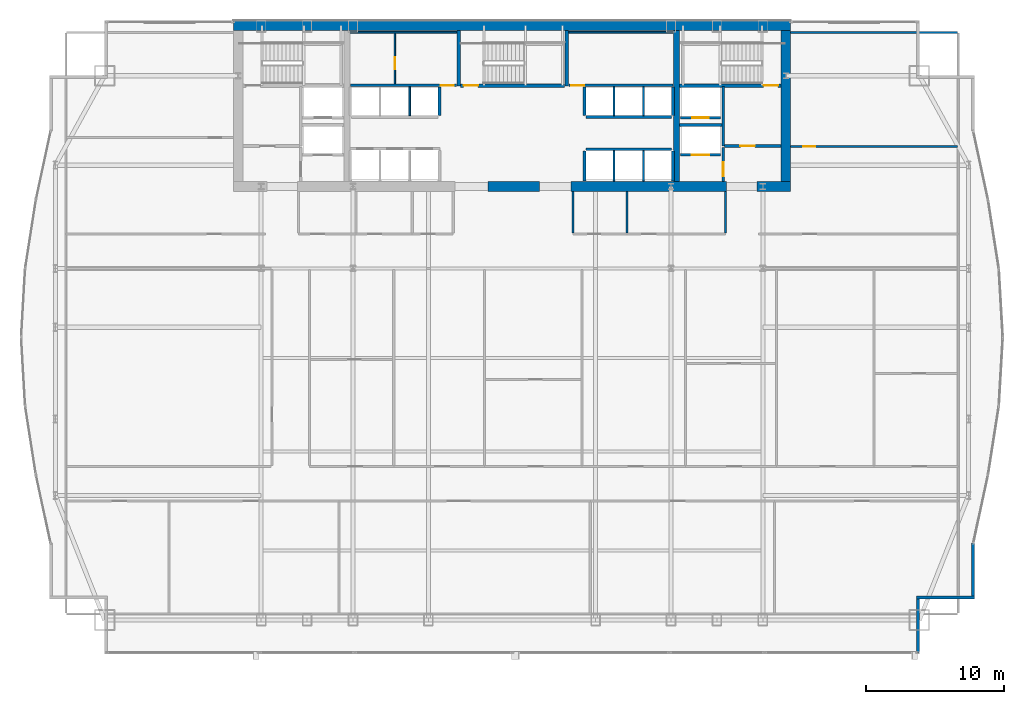
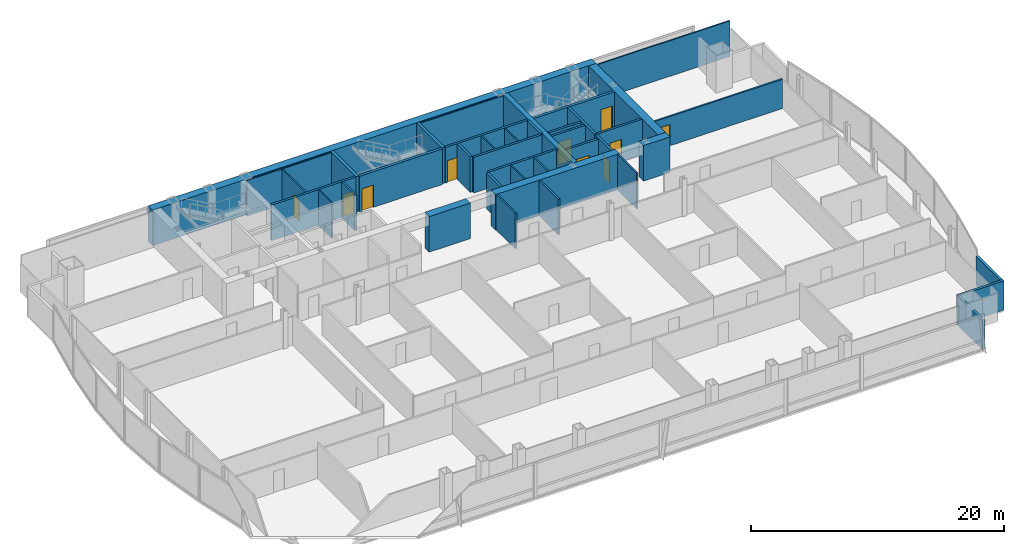
# One storey, part 28 of 32: 41 walls, 10 doors, 10 openings.
"""IFC4 building model written with IfcOpenShell, lengths in metres."""

from ifc_helpers import new_model, si_unit, direction, frame, frame_2d, origin, place, context, subcontext, project, spatial, rectangle, extrude, material, layer, layer_set, type_object, element, fill, save


model = new_model("IFC4")

# Units and contexts
model_context = context("Model", 3, precision=1e-05, world=origin(), true_north=direction((0.0, 1.0)))
body_context = subcontext(model_context, "Body", "Model", "MODEL_VIEW")
ifc_project = project(units=[si_unit("LENGTHUNIT", "METRE"), si_unit("AREAUNIT", "SQUARE_METRE"), si_unit("VOLUMEUNIT", "CUBIC_METRE"), si_unit("PLANEANGLEUNIT", "RADIAN"), si_unit("MASSUNIT", "GRAM", prefix="KILO")], contexts=[model_context])

# Site, building, storey
site_placement = place(None, origin())
site = spatial("IfcSite", under=ifc_project, at=site_placement, CompositionType="ELEMENT")
building_placement = place(site_placement, origin())
building = spatial("IfcBuilding", under=site, at=building_placement, Name="Khoronbel Lancet Exchange", CompositionType="ELEMENT")
storey_placement = place(building_placement, frame((0.0, 0.0, 111.0)))
storey = spatial("IfcBuildingStorey", under=building, at=storey_placement, Name="L26", CompositionType="ELEMENT", Elevation=111.0)

# Walls
ifc_material_1 = material(Name="Concrete C80/95", Category="concrete")
ifc_layer_1 = layer(ifc_material_1, 0.699951171875, Name="Concrete C80/95")
ifc_layer_set_1 = layer_set([ifc_layer_1], Name="Concrete C80/95")
wall_type_1 = type_object("IfcWallType", Name="WL-CW2", PredefinedType="SHEAR", material=ifc_layer_set_1)
wall_1_placement = place(storey_placement, frame((16.199951171875, 53.35009765625, 0.0), z_axis=(0.0, 0.0, 1.0), x_axis=(1.0, 0.0, 0.0)))
element("IfcWall", 1, at=wall_1_placement, inside=storey, type_object=wall_type_1, Name="Level L26 rear core north shear wall", PredefinedType="SHEAR", context=body_context, shape_type="SweptSolid", body=[
    extrude(rectangle(XDim=40.5, YDim=0.699951171875, at=frame_2d((20.25, 0.0))), origin(), (0.0, 0.0, 1.0), 3.43994140625),
])
wall_2_placement = place(storey_placement, frame((56.35009765625, 53.0, 0.0), z_axis=(0.0, 0.0, 1.0), x_axis=(0.0, -1.0, 0.0)))
element("IfcWall", 2, at=wall_2_placement, inside=storey, type_object=wall_type_1, Name="Level L26 rear core east shear wall", PredefinedType="SHEAR", context=body_context, shape_type="SweptSolid", body=[
    extrude(rectangle(XDim=11.0, YDim=0.699951171875, at=frame_2d((5.5, 0.0))), origin(), (0.0, 0.0, 1.0), 3.43994140625),
])
wall_3_placement = place(storey_placement, frame((38.449951171875, 41.64990234375, 0.0), z_axis=(0.0, 0.0, 1.0), x_axis=(-1.0, 0.0, 0.0)))
element("IfcWall", 3, at=wall_3_placement, inside=storey, type_object=wall_type_1, Name="Level L26 rear core south shear wall pier P3", PredefinedType="SHEAR", context=body_context, shape_type="SweptSolid", body=[
    extrude(rectangle(XDim=3.75, YDim=0.699951171875, at=frame_2d((1.875, 0.0))), origin(), (0.0, 0.0, 1.0), 3.43994140625),
])
wall_4_placement = place(storey_placement, frame((52.050048828125, 41.64990234375, 0.0), z_axis=(0.0, 0.0, 1.0), x_axis=(-1.0, 0.0, 0.0)))
element("IfcWall", 4, at=wall_4_placement, inside=storey, type_object=wall_type_1, Name="Level L26 rear core south shear wall pier P4", PredefinedType="SHEAR", context=body_context, shape_type="SweptSolid", body=[
    extrude(rectangle(XDim=11.300048828125, YDim=0.699951171875, at=frame_2d((5.64990234375, 0.0))), origin(), (0.0, 0.0, 1.0), 3.43994140625),
])
wall_5_placement = place(storey_placement, frame((56.699951171875, 41.64990234375, 0.0), z_axis=(0.0, 0.0, 1.0), x_axis=(-1.0, 0.0, 0.0)))
element("IfcWall", 5, at=wall_5_placement, inside=storey, type_object=wall_type_1, Name="Level L26 rear core south shear wall pier P5", PredefinedType="SHEAR", context=body_context, shape_type="SweptSolid", body=[
    extrude(rectangle(XDim=2.449951171875, YDim=0.699951171875, at=frame_2d((1.22509765625, 0.0))), origin(), (0.0, 0.0, 1.0), 3.43994140625),
])
ifc_material_2 = material(Name="Precast concrete C40/50", Category="concrete")
ifc_layer_2 = layer(ifc_material_2, 0.25, Name="Precast concrete C40/50")
ifc_layer_set_2 = layer_set([ifc_layer_2], Name="Precast concrete C40/50")
wall_type_2 = type_object("IfcWallType", Name="WL-EXT250", PredefinedType="SOLIDWALL", material=ifc_layer_set_2)
wall_6_placement = place(storey_placement, frame((69.9599609375, 15.7294921875, 0.0), z_axis=(0.0, 0.0, 1.0), x_axis=(0.0, -1.0, 0.0)))
element("IfcWall", 6, at=wall_6_placement, inside=storey, type_object=wall_type_2, Name="Level L26 notched-corner limestone pier 23", PredefinedType="SOLIDWALL", context=body_context, shape_type="SweptSolid", body=[
    extrude(rectangle(XDim=3.82958984375, YDim=0.219970703125, at=frame_2d((1.914794921875, 0.0))), origin(), (0.0, 0.0, 1.0), 2.830078125),
])
wall_7_placement = place(storey_placement, frame((70.070068359375, 11.7900390625, 0.0), z_axis=(0.0, 0.0, 1.0), x_axis=(-1.0, 0.0, 0.0)))
element("IfcWall", 7, at=wall_7_placement, inside=storey, type_object=wall_type_2, Name="Level L26 notched-corner limestone pier 24", PredefinedType="SOLIDWALL", context=body_context, shape_type="SweptSolid", body=[
    extrude(rectangle(XDim=4.219970703125, YDim=0.219970703125, at=frame_2d((2.10986328125, 0.0))), origin(), (0.0, 0.0, 1.0), 2.830078125),
])
wall_8_placement = place(storey_placement, frame((65.9599609375, 11.679931640625, 0.0), z_axis=(0.0, 0.0, 1.0), x_axis=(0.0, -1.0, 0.0)))
element("IfcWall", 8, at=wall_8_placement, inside=storey, type_object=wall_type_2, Name="Level L26 notched-corner limestone pier 25", PredefinedType="SOLIDWALL", context=body_context, shape_type="SweptSolid", body=[
    extrude(rectangle(XDim=3.909912109375, YDim=0.219970703125, at=frame_2d((1.955078125, 0.0))), origin(), (0.0, 0.0, 1.0), 2.830078125),
])
ifc_material_3 = material(Name="Acoustic Metal-Stud & Mineral-Wool Gypsum Partition 120 mm", Category="gypsum")
ifc_layer_3 = layer(ifc_material_3, 0.1201171875, Name="Acoustic Metal-Stud & Mineral-Wool Gypsum Partition 120 mm")
ifc_layer_set_3 = layer_set([ifc_layer_3], Name="Acoustic Metal-Stud & Mineral-Wool Gypsum Partition 120 mm")
wall_type_3 = type_object("IfcWallType", Name="WL-PRT120", PredefinedType="PARTITIONING", material=ifc_layer_set_3)
for number, where, z_axis, x_axis, name in (
    (9, (40.8798828125, 38.280029296875, 0.0), (0.0, 0.0, 1.0), (0.0, 1.0, 0.0), "Level L26 interior partition PW-NP-0"),
    (10, (44.800048828125, 38.280029296875, 0.0), (0.0, 0.0, 1.0), (0.0, 1.0, 0.0), "Level L26 interior partition PW-NP-M"),
    (11, (51.949951171875, 38.280029296875, 0.0), (0.0, 0.0, 1.0), (0.0, 1.0, 0.0), "Level L26 interior partition PW-NP-1"),
):
    element("IfcWall", number, at=place(storey_placement, frame(where, z_axis=z_axis, x_axis=x_axis)), inside=storey, type_object=wall_type_3, Name=name, PredefinedType="PARTITIONING", context=body_context, shape_type="SweptSolid", body=[
        extrude(rectangle(XDim=3.02001953125, YDim=0.14990234375, at=frame_2d((1.510009765625, 0.0))), origin(), (0.0, 0.0, 1.0), 3.43994140625),
    ])

# Wall, opening, door
wall_9_placement = place(storey_placement, frame((56.699951171875, 44.56005859375, 0.0), z_axis=(0.0, 0.0, 1.0), x_axis=(1.0, 0.0, 0.0)))
wall_9 = element("IfcWall", 12, at=wall_9_placement, inside=storey, type_object=wall_type_3, Name="Level L26 interior partition PW-NE-H", PredefinedType="PARTITIONING", context=body_context, shape_type="SweptSolid", body=[
    extrude(rectangle(XDim=12.10498046875, YDim=0.14990234375, at=frame_2d((6.052490234375, 0.0))), origin(), (0.0, 0.0, 1.0), 2.830078125),
])
opening_1_placement = place(wall_9_placement, frame((0.89990234375, 0.0, 0.0)))
opening_1 = element("IfcOpeningElement", 13, at=opening_1_placement, cuts=wall_9, Name="Opening D5", PredefinedType="OPENING", context=body_context, shape_type="SweptSolid", body=[
    extrude(rectangle(XDim=0.89990234375, YDim=2.050048828125, at=frame_2d((0.449951171875, 1.02490234375))), frame((0.0, 0.0849609375, 0.0), z_axis=(0.0, -1.0, 0.0), x_axis=(1.0, 0.0, 0.0)), (0.0, 0.0, 1.0), 0.169921875),
])
ifc_material_4 = material(Name="Acoustic Timber Pantry & Support Door", Category="wood")
door_type_1 = type_object("IfcDoorType", Name="DR-D5", OperationType="NOTDEFINED", PredefinedType="DOOR", material=ifc_material_4)
door_1_placement = place(opening_1_placement, origin())
door_1 = element("IfcDoor", 14, at=door_1_placement, inside=storey, type_object=door_type_1, Name="NE north room door L26-1", OperationType="SINGLE_SWING_RIGHT", OverallHeight=2.050048828125, OverallWidth=0.89990234375, PredefinedType="DOOR", context=body_context, shape_type="SweptSolid", body=[
    extrude(rectangle(XDim=0.89990234375, YDim=2.050048828125, at=frame_2d((0.449951171875, 1.02490234375))), frame((0.0, 0.02490234375, 0.0), z_axis=(0.0, -1.0, 0.0), x_axis=(1.0, 0.0, 0.0)), (0.0, 0.0, 1.0), 0.050048828125),
])
fill(opening_1, door_1)

# Walls
wall_10_placement = place(storey_placement, frame((56.699951171875, 52.840087890625, 0.0), z_axis=(0.0, 0.0, 1.0), x_axis=(1.0, 0.0, 0.0)))
element("IfcWall", 15, at=wall_10_placement, inside=storey, type_object=wall_type_3, Name="Level L26 interior partition PW-LIN-NE", PredefinedType="PARTITIONING", context=body_context, shape_type="SweptSolid", body=[
    extrude(rectangle(XDim=12.10498046875, YDim=0.1201171875, at=frame_2d((6.052490234375, 0.0))), origin(), (0.0, 0.0, 1.0), 3.43994140625),
])
ifc_material_5 = material(Name="Fire-Rated Metal-Stud & Mineral-Wool Gypsum Partition 120 mm", Category="gypsum")
ifc_layer_4 = layer(ifc_material_5, 0.1201171875, Name="Fire-Rated Metal-Stud & Mineral-Wool Gypsum Partition 120 mm")
ifc_layer_set_4 = layer_set([ifc_layer_4], Name="Fire-Rated Metal-Stud & Mineral-Wool Gypsum Partition 120 mm")
wall_type_4 = type_object("IfcWallType", Name="WL-PRT120F", PredefinedType="PARTITIONING", material=ifc_layer_set_4)
for number, where, z_axis, x_axis, name in (
    (16, (29.02001953125, 46.804931640625, 0.0), (0.0, 0.0, 1.0), (0.0, 1.0, 0.0), "Level L26 interior partition CW-PL-D2"),
    (17, (43.860107421875, 46.804931640625, 0.0), (0.0, 0.0, 1.0), (0.0, 1.0, 0.0), "Level L26 interior partition CW-PH-D1"),
    (18, (46.0, 46.804931640625, 0.0), (0.0, 0.0, 1.0), (0.0, 1.0, 0.0), "Level L26 interior partition CW-PH-D2"),
):
    element("IfcWall", number, at=place(storey_placement, frame(where, z_axis=z_axis, x_axis=x_axis)), inside=storey, type_object=wall_type_4, Name=name, PredefinedType="PARTITIONING", context=body_context, shape_type="SweptSolid", body=[
        extrude(rectangle(XDim=2.090087890625, YDim=0.1201171875, at=frame_2d((1.044921875, 0.0))), origin(), (0.0, 0.0, 1.0), 3.43994140625),
    ])
for number, where, z_axis, x_axis, name in (
    (19, (43.860107421875, 42.050048828125, 0.0), (0.0, 0.0, 1.0), (0.0, 1.0, 0.0), "Level L26 interior partition CW-PX-D1"),
    (20, (46.0, 42.050048828125, 0.0), (0.0, 0.0, 1.0), (0.0, 1.0, 0.0), "Level L26 interior partition CW-PX-D2"),
):
    element("IfcWall", number, at=place(storey_placement, frame(where, z_axis=z_axis, x_axis=x_axis)), inside=storey, type_object=wall_type_4, Name=name, PredefinedType="PARTITIONING", context=body_context, shape_type="SweptSolid", body=[
        extrude(rectangle(XDim=2.195068359375, YDim=0.1201171875, at=frame_2d((1.09765625, 0.0))), origin(), (0.0, 0.0, 1.0), 3.43994140625),
    ])
wall_11_placement = place(storey_placement, frame((24.699951171875, 52.860107421875, 0.0), z_axis=(0.0, 0.0, 1.0), x_axis=(1.0, 0.0, 0.0)))
element("IfcWall", 21, at=wall_11_placement, inside=storey, type_object=wall_type_4, Name="Level L26 interior partition CW-SUP-NW-N", PredefinedType="PARTITIONING", context=body_context, shape_type="SweptSolid", body=[
    extrude(rectangle(XDim=7.719970703125, YDim=0.1201171875, at=frame_2d((3.85986328125, 0.0))), origin(), (0.0, 0.0, 1.0), 3.43994140625),
])

# Wall, opening, door
wall_12_placement = place(storey_placement, frame((27.9423828125, 49.10498046875, 0.0), z_axis=(0.0, 0.0, 1.0), x_axis=(0.0, 1.0, 0.0)))
wall_12 = element("IfcWall", 22, at=wall_12_placement, inside=storey, type_object=wall_type_4, Name="Level L26 interior partition CW-SUP-NW-M", PredefinedType="PARTITIONING", context=body_context, shape_type="SweptSolid", body=[
    extrude(rectangle(XDim=3.68994140625, YDim=0.1201171875, at=frame_2d((1.844970703125, 0.0))), origin(), (0.0, 0.0, 1.0), 3.43994140625),
])
opening_2_placement = place(wall_12_placement, frame((1.050048828125, 0.0, 0.0)))
opening_2 = element("IfcOpeningElement", 23, at=opening_2_placement, cuts=wall_12, Name="Opening FD4", PredefinedType="OPENING", context=body_context, shape_type="SweptSolid", body=[
    extrude(rectangle(XDim=0.89990234375, YDim=2.050048828125, at=frame_2d((0.449951171875, 1.02490234375))), frame((0.0, 0.070068359375, 0.0), z_axis=(0.0, -1.0, 0.0), x_axis=(1.0, 0.0, 0.0)), (0.0, 0.0, 1.0), 0.14013671875),
])
ifc_material_6 = material(Name="Fire-Rated Steel Core Support Door Assembly", Category="steel")
door_type_2 = type_object("IfcDoorType", Name="DR-FD4", OperationType="NOTDEFINED", PredefinedType="DOOR", material=ifc_material_6)
door_2_placement = place(opening_2_placement, origin())
door_2 = element("IfcDoor", 24, at=door_2_placement, inside=storey, type_object=door_type_2, Name="Core NW inner support door L26-1", OperationType="SINGLE_SWING_RIGHT", OverallHeight=2.050048828125, OverallWidth=0.89990234375, PredefinedType="DOOR", context=body_context, shape_type="SweptSolid", body=[
    extrude(rectangle(XDim=0.89990234375, YDim=2.050048828125, at=frame_2d((0.449951171875, 1.02490234375))), frame((0.0, 0.02490234375, 0.0), z_axis=(0.0, -1.0, 0.0), x_axis=(1.0, 0.0, 0.0)), (0.0, 0.0, 1.0), 0.050048828125),
])
fill(opening_2, door_2)

# Wall
wall_13_placement = place(storey_placement, frame((40.580078125, 52.860107421875, 0.0), z_axis=(0.0, 0.0, 1.0), x_axis=(1.0, 0.0, 0.0)))
element("IfcWall", 25, at=wall_13_placement, inside=storey, type_object=wall_type_4, Name="Level L26 interior partition CW-SUP-NE-N", PredefinedType="PARTITIONING", context=body_context, shape_type="SweptSolid", body=[
    extrude(rectangle(XDim=7.559814453125, YDim=0.1201171875, at=frame_2d((3.77978515625, 0.0))), origin(), (0.0, 0.0, 1.0), 3.43994140625),
])

# Wall, opening, door
ifc_material_7 = material(Name="Autoclaved Aerated Concrete Blockwork 200 mm", Category="masonry")
ifc_layer_5 = layer(ifc_material_7, 0.199951171875, Name="Autoclaved Aerated Concrete Blockwork 200 mm")
ifc_layer_set_5 = layer_set([ifc_layer_5], Name="Autoclaved Aerated Concrete Blockwork 200 mm")
wall_type_5 = type_object("IfcWallType", Name="WL-PRT200", PredefinedType="PARTITIONING", material=ifc_layer_set_5)
wall_14_placement = place(storey_placement, frame((51.610107421875, 43.949951171875, 0.0), z_axis=(0.0, 0.0, 1.0), x_axis=(-1.0, 0.0, 0.0)))
wall_14 = element("IfcWall", 26, at=wall_14_placement, inside=storey, type_object=wall_type_5, Name="Level L26 elevator hoistway landing front wall SVLE", PredefinedType="PARTITIONING", context=body_context, shape_type="SweptSolid", body=[
    extrude(rectangle(XDim=2.920166015625, YDim=0.199951171875, at=frame_2d((1.4599609375, 0.0))), origin(), (0.0, 0.0, 1.0), 3.43994140625),
])
opening_3_placement = place(wall_14_placement, frame((0.81005859375, 0.0, 0.0)))
opening_3 = element("IfcOpeningElement", 27, at=opening_3_placement, cuts=wall_14, Name="Opening LD-SVL2", PredefinedType="OPENING", context=body_context, shape_type="SweptSolid", body=[
    extrude(rectangle(XDim=1.300048828125, YDim=2.179931640625, at=frame_2d((0.64990234375, 1.08984375))), frame((0.0, 0.10986328125, 0.0), z_axis=(0.0, -1.0, 0.0), x_axis=(1.0, 0.0, 0.0)), (0.0, 0.0, 1.0), 0.219970703125),
])
ifc_material_8 = material(Name="Heavy-Duty Bi-Parting Goods Lift Landing Door", Category="steel")
door_type_3 = type_object("IfcDoorType", Name="DR-LD-SVL", OperationType="NOTDEFINED", PredefinedType="DOOR", material=ifc_material_8)
door_3_placement = place(opening_3_placement, origin())
door_3 = element("IfcDoor", 28, at=door_3_placement, inside=storey, type_object=door_type_3, Name="Elevator landing sliding door LD-SVL2 L26", OperationType="SLIDING_TO_LEFT", OverallHeight=2.179931640625, OverallWidth=1.300048828125, PredefinedType="DOOR", context=body_context, shape_type="SweptSolid", body=[
    extrude(rectangle(XDim=1.300048828125, YDim=2.179931640625, at=frame_2d((0.64990234375, 1.08984375))), frame((0.0, 0.02490234375, 0.0), z_axis=(0.0, -1.0, 0.0), x_axis=(1.0, 0.0, 0.0)), (0.0, 0.0, 1.0), 0.050048828125),
])
fill(opening_3, door_3)

wall_15_placement = place(storey_placement, frame((51.610107421875, 46.64990234375, 0.0), z_axis=(0.0, 0.0, 1.0), x_axis=(-1.0, 0.0, 0.0)))
wall_15 = element("IfcWall", 29, at=wall_15_placement, inside=storey, type_object=wall_type_5, Name="Level L26 elevator hoistway landing front wall FFLE", PredefinedType="PARTITIONING", context=body_context, shape_type="SweptSolid", body=[
    extrude(rectangle(XDim=2.920166015625, YDim=0.199951171875, at=frame_2d((1.4599609375, 0.0))), origin(), (0.0, 0.0, 1.0), 3.43994140625),
])
opening_4_placement = place(wall_15_placement, frame((0.860107421875, 0.0, 0.0)))
opening_4 = element("IfcOpeningElement", 30, at=opening_4_placement, cuts=wall_15, Name="Opening LD-FFL2", PredefinedType="OPENING", context=body_context, shape_type="SweptSolid", body=[
    extrude(rectangle(XDim=1.199951171875, YDim=2.179931640625, at=frame_2d((0.60009765625, 1.08984375))), frame((0.0, 0.10986328125, 0.0), z_axis=(0.0, -1.0, 0.0), x_axis=(1.0, 0.0, 0.0)), (0.0, 0.0, 1.0), 0.219970703125),
])
ifc_material_9 = material(Name="Fire-Rated Stainless Bi-Parting Firefighting Lift Door", Category="steel")
door_type_4 = type_object("IfcDoorType", Name="DR-LD-FFL", OperationType="NOTDEFINED", PredefinedType="DOOR", material=ifc_material_9)
door_4_placement = place(opening_4_placement, origin())
door_4 = element("IfcDoor", 31, at=door_4_placement, inside=storey, type_object=door_type_4, Name="Elevator landing sliding door LD-FFL2 L26", OperationType="SLIDING_TO_LEFT", OverallHeight=2.179931640625, OverallWidth=1.199951171875, PredefinedType="DOOR", context=body_context, shape_type="SweptSolid", body=[
    extrude(rectangle(XDim=1.199951171875, YDim=2.179931640625, at=frame_2d((0.60009765625, 1.08984375))), frame((0.0, 0.02490234375, 0.0), z_axis=(0.0, -1.0, 0.0), x_axis=(1.0, 0.0, 0.0)), (0.0, 0.0, 1.0), 0.050048828125),
])
fill(opening_4, door_4)

# Wall
wall_16_placement = place(storey_placement, frame((51.800048828125, 44.60009765625, 0.0), z_axis=(0.0, 0.0, 1.0), x_axis=(0.0, 1.0, 0.0)))
element("IfcWall", 32, at=wall_16_placement, inside=storey, type_object=wall_type_5, Name="Level L26 interior partition CW-FFLE-W", PredefinedType="PARTITIONING", context=body_context, shape_type="SweptSolid", body=[
    extrude(rectangle(XDim=4.2998046875, YDim=0.199951171875, at=frame_2d((2.14990234375, 0.0))), origin(), (0.0, 0.0, 1.0), 3.43994140625),
])

# Wall, opening, door
wall_17_placement = place(storey_placement, frame((51.89990234375, 44.60009765625, 0.0), z_axis=(0.0, 0.0, 1.0), x_axis=(1.0, 0.0, 0.0)))
wall_17 = element("IfcWall", 33, at=wall_17_placement, inside=storey, type_object=wall_type_5, Name="Level L26 interior partition CW-FFLE-S", PredefinedType="PARTITIONING", context=body_context, shape_type="SweptSolid", body=[
    extrude(rectangle(XDim=4.10009765625, YDim=0.199951171875, at=frame_2d((2.050048828125, 0.0))), origin(), (0.0, 0.0, 1.0), 3.43994140625),
])
opening_5_placement = place(wall_17_placement, frame((1.14990234375, 0.0, 0.0)))
opening_5 = element("IfcOpeningElement", 34, at=opening_5_placement, cuts=wall_17, Name="Opening FD1", PredefinedType="OPENING", context=body_context, shape_type="SweptSolid", body=[
    extrude(rectangle(XDim=1.050048828125, YDim=2.14990234375, at=frame_2d((0.52490234375, 1.074951171875))), frame((0.0, 0.10986328125, 0.0), z_axis=(0.0, -1.0, 0.0), x_axis=(1.0, 0.0, 0.0)), (0.0, 0.0, 1.0), 0.219970703125),
])
ifc_material_10 = material(Name="Fire-Rated Painted Steel Door Assembly", Category="steel")
door_type_5 = type_object("IfcDoorType", Name="DR-FD1", OperationType="NOTDEFINED", PredefinedType="DOOR", material=ifc_material_10)
door_5_placement = place(opening_5_placement, origin())
door_5 = element("IfcDoor", 35, at=door_5_placement, inside=storey, type_object=door_type_5, Name="East firefighting lobby FD90S door L26-1", OperationType="SINGLE_SWING_LEFT", OverallHeight=2.14990234375, OverallWidth=1.050048828125, PredefinedType="DOOR", context=body_context, shape_type="SweptSolid", body=[
    extrude(rectangle(XDim=1.050048828125, YDim=2.14990234375, at=frame_2d((0.52490234375, 1.074951171875))), frame((0.0, 0.02490234375, 0.0), z_axis=(0.0, -1.0, 0.0), x_axis=(1.0, 0.0, 0.0)), (0.0, 0.0, 1.0), 0.050048828125),
])
fill(opening_5, door_5)

# Wall
wall_18_placement = place(storey_placement, frame((48.6298828125, 46.1201171875, 0.0), z_axis=(0.0, 0.0, 1.0), x_axis=(1.0, 0.0, 0.0)))
element("IfcWall", 36, at=wall_18_placement, inside=storey, type_object=wall_type_5, Name="Level L26 interior partition CW-FFL2-S", PredefinedType="PARTITIONING", context=body_context, shape_type="SweptSolid", body=[
    extrude(rectangle(XDim=3.070068359375, YDim=0.199951171875, at=frame_2d((1.53515625, 0.0))), origin(), (0.0, 0.0, 1.0), 3.43994140625),
])

# Wall, opening, door
wall_19_placement = place(storey_placement, frame((51.800048828125, 42.0, 0.0), z_axis=(0.0, 0.0, 1.0), x_axis=(0.0, 1.0, 0.0)))
wall_19 = element("IfcWall", 37, at=wall_19_placement, inside=storey, type_object=wall_type_5, Name="Level L26 interior partition CW-SVLE-E", PredefinedType="PARTITIONING", context=body_context, shape_type="SweptSolid", body=[
    extrude(rectangle(XDim=2.4951171875, YDim=0.199951171875, at=frame_2d((1.24755859375, 0.0))), origin(), (0.0, 0.0, 1.0), 3.43994140625),
])
opening_6_placement = place(wall_19_placement, frame((0.3798828125, 0.0, 0.0)))
opening_6 = element("IfcOpeningElement", 38, at=opening_6_placement, cuts=wall_19, Name="Opening FD1", PredefinedType="OPENING", context=body_context, shape_type="SweptSolid", body=[
    extrude(rectangle(XDim=1.050048828125, YDim=2.14990234375, at=frame_2d((0.52490234375, 1.074951171875))), frame((0.0, 0.10986328125, 0.0), z_axis=(0.0, -1.0, 0.0), x_axis=(1.0, 0.0, 0.0)), (0.0, 0.0, 1.0), 0.219970703125),
])
door_6_placement = place(opening_6_placement, origin())
door_6 = element("IfcDoor", 39, at=door_6_placement, inside=storey, type_object=door_type_5, Name="East service lift lobby door L26-1", OperationType="SINGLE_SWING_RIGHT", OverallHeight=2.14990234375, OverallWidth=1.050048828125, PredefinedType="DOOR", context=body_context, shape_type="SweptSolid", body=[
    extrude(rectangle(XDim=1.050048828125, YDim=2.14990234375, at=frame_2d((0.52490234375, 1.074951171875))), frame((0.0, 0.02490234375, 0.0), z_axis=(0.0, -1.0, 0.0), x_axis=(1.0, 0.0, 0.0)), (0.0, 0.0, 1.0), 0.050048828125),
])
fill(opening_6, door_6)

# Walls
wall_20_placement = place(storey_placement, frame((31.179931640625, 46.804931640625, 0.0), z_axis=(0.0, 0.0, 1.0), x_axis=(0.0, 1.0, 0.0)))
element("IfcWall", 40, at=wall_20_placement, inside=storey, type_object=wall_type_5, Name="Level L26 interior partition CW-PL-E", PredefinedType="PARTITIONING", context=body_context, shape_type="SweptSolid", body=[
    extrude(rectangle(XDim=2.090087890625, YDim=0.199951171875, at=frame_2d((1.044921875, 0.0))), origin(), (0.0, 0.0, 1.0), 3.43994140625),
])
wall_21_placement = place(storey_placement, frame((41.824951171875, 46.699951171875, 0.0), z_axis=(0.0, 0.0, 1.0), x_axis=(1.0, 0.0, 0.0)))
element("IfcWall", 41, at=wall_21_placement, inside=storey, type_object=wall_type_5, Name="Level L26 interior partition CW-PH-EXP", PredefinedType="PARTITIONING", context=body_context, shape_type="SweptSolid", body=[
    extrude(rectangle(XDim=6.2099609375, YDim=0.199951171875, at=frame_2d((3.10498046875, 0.0))), origin(), (0.0, 0.0, 1.0), 3.43994140625),
])
for number, where, z_axis, x_axis, name in (
    (42, (41.719970703125, 46.804931640625, 0.0), (0.0, 0.0, 1.0), (0.0, 1.0, 0.0), "Level L26 interior partition CW-PH-W"),
    (43, (48.139892578125, 46.804931640625, 0.0), (0.0, 0.0, 1.0), (0.0, 1.0, 0.0), "Level L26 interior partition CW-PH-E"),
):
    element("IfcWall", number, at=place(storey_placement, frame(where, z_axis=z_axis, x_axis=x_axis)), inside=storey, type_object=wall_type_5, Name=name, PredefinedType="PARTITIONING", context=body_context, shape_type="SweptSolid", body=[
        extrude(rectangle(XDim=2.090087890625, YDim=0.199951171875, at=frame_2d((1.044921875, 0.0))), origin(), (0.0, 0.0, 1.0), 3.43994140625),
    ])
wall_22_placement = place(storey_placement, frame((41.824951171875, 44.35009765625, 0.0), z_axis=(0.0, 0.0, 1.0), x_axis=(1.0, 0.0, 0.0)))
element("IfcWall", 44, at=wall_22_placement, inside=storey, type_object=wall_type_5, Name="Level L26 interior partition CW-PX-EXP", PredefinedType="PARTITIONING", context=body_context, shape_type="SweptSolid", body=[
    extrude(rectangle(XDim=6.2099609375, YDim=0.199951171875, at=frame_2d((3.10498046875, 0.0))), origin(), (0.0, 0.0, 1.0), 3.43994140625),
])
for number, where, z_axis, x_axis, name in (
    (45, (41.719970703125, 42.050048828125, 0.0), (0.0, 0.0, 1.0), (0.0, 1.0, 0.0), "Level L26 interior partition CW-PX-W"),
    (46, (48.139892578125, 42.050048828125, 0.0), (0.0, 0.0, 1.0), (0.0, 1.0, 0.0), "Level L26 interior partition CW-PX-E"),
):
    element("IfcWall", number, at=place(storey_placement, frame(where, z_axis=z_axis, x_axis=x_axis)), inside=storey, type_object=wall_type_5, Name=name, PredefinedType="PARTITIONING", context=body_context, shape_type="SweptSolid", body=[
        extrude(rectangle(XDim=2.195068359375, YDim=0.199951171875, at=frame_2d((1.09765625, 0.0))), origin(), (0.0, 0.0, 1.0), 3.43994140625),
    ])

# Wall, opening, door
wall_23_placement = place(storey_placement, frame((24.699951171875, 49.0, 0.0), z_axis=(0.0, 0.0, 1.0), x_axis=(1.0, 0.0, 0.0)))
wall_23 = element("IfcWall", 47, at=wall_23_placement, inside=storey, type_object=wall_type_5, Name="Level L26 interior partition CW-SUP-NW-S", PredefinedType="PARTITIONING", context=body_context, shape_type="SweptSolid", body=[
    extrude(rectangle(XDim=7.719970703125, YDim=0.199951171875, at=frame_2d((3.85986328125, 0.0))), origin(), (0.0, 0.0, 1.0), 3.43994140625),
])
opening_7_placement = place(wall_23_placement, frame((6.56005859375, 0.0, 0.0)))
opening_7 = element("IfcOpeningElement", 48, at=opening_7_placement, cuts=wall_23, Name="Opening FD3", PredefinedType="OPENING", context=body_context, shape_type="SweptSolid", body=[
    extrude(rectangle(XDim=0.949951171875, YDim=2.10009765625, at=frame_2d((0.47509765625, 1.050048828125))), frame((0.0, 0.10986328125, 0.0), z_axis=(0.0, -1.0, 0.0), x_axis=(1.0, 0.0, 0.0)), (0.0, 0.0, 1.0), 0.219970703125),
])
ifc_material_11 = material(Name="Fire-Rated Steel Plant & Riser Door Assembly", Category="steel")
door_type_6 = type_object("IfcDoorType", Name="DR-FD3", OperationType="NOTDEFINED", PredefinedType="DOOR", material=ifc_material_11)
door_7_placement = place(opening_7_placement, origin())
door_7 = element("IfcDoor", 49, at=door_7_placement, inside=storey, type_object=door_type_6, Name="Core NW support room door L26-1", OperationType="SINGLE_SWING_LEFT", OverallHeight=2.10009765625, OverallWidth=0.949951171875, PredefinedType="DOOR", context=body_context, shape_type="SweptSolid", body=[
    extrude(rectangle(XDim=0.949951171875, YDim=2.10009765625, at=frame_2d((0.47509765625, 1.050048828125))), frame((0.0, 0.02490234375, 0.0), z_axis=(0.0, -1.0, 0.0), x_axis=(1.0, 0.0, 0.0)), (0.0, 0.0, 1.0), 0.050048828125),
])
fill(opening_7, door_7)

wall_24_placement = place(storey_placement, frame((40.580078125, 49.0, 0.0), z_axis=(0.0, 0.0, 1.0), x_axis=(1.0, 0.0, 0.0)))
wall_24 = element("IfcWall", 50, at=wall_24_placement, inside=storey, type_object=wall_type_5, Name="Level L26 interior partition CW-SUP-NE-S", PredefinedType="PARTITIONING", context=body_context, shape_type="SweptSolid", body=[
    extrude(rectangle(XDim=7.559814453125, YDim=0.199951171875, at=frame_2d((3.77978515625, 0.0))), origin(), (0.0, 0.0, 1.0), 3.43994140625),
])
opening_8_placement = place(wall_24_placement, frame((0.159912109375, 0.0, 0.0)))
opening_8 = element("IfcOpeningElement", 51, at=opening_8_placement, cuts=wall_24, Name="Opening FD3", PredefinedType="OPENING", context=body_context, shape_type="SweptSolid", body=[
    extrude(rectangle(XDim=0.949951171875, YDim=2.10009765625, at=frame_2d((0.47509765625, 1.050048828125))), frame((0.0, 0.10986328125, 0.0), z_axis=(0.0, -1.0, 0.0), x_axis=(1.0, 0.0, 0.0)), (0.0, 0.0, 1.0), 0.219970703125),
])
door_8_placement = place(opening_8_placement, origin())
door_8 = element("IfcDoor", 52, at=door_8_placement, inside=storey, type_object=door_type_6, Name="Core NE support room door L26-1", OperationType="SINGLE_SWING_LEFT", OverallHeight=2.10009765625, OverallWidth=0.949951171875, PredefinedType="DOOR", context=body_context, shape_type="SweptSolid", body=[
    extrude(rectangle(XDim=0.949951171875, YDim=2.10009765625, at=frame_2d((0.47509765625, 1.050048828125))), frame((0.0, 0.02490234375, 0.0), z_axis=(0.0, -1.0, 0.0), x_axis=(1.0, 0.0, 0.0)), (0.0, 0.0, 1.0), 0.050048828125),
])
fill(opening_8, door_8)

# Walls
ifc_layer_6 = layer(ifc_material_1, 0.449951171875, Name="Concrete C80/95")
ifc_layer_set_6 = layer_set([ifc_layer_6], Name="Concrete C80/95")
wall_type_6 = type_object("IfcWallType", Name="WL-SW1", PredefinedType="SHEAR", material=ifc_layer_set_6)
wall_25_placement = place(storey_placement, frame((48.39990234375, 42.0, 0.0), z_axis=(0.0, 0.0, 1.0), x_axis=(0.0, 1.0, 0.0)))
element("IfcWall", 53, at=wall_25_placement, inside=storey, type_object=wall_type_6, Name="Level L26 rear core internal spine shear wall IE", PredefinedType="SHEAR", context=body_context, shape_type="SweptSolid", body=[
    extrude(rectangle(XDim=11.0, YDim=0.449951171875, at=frame_2d((5.5, 0.0))), origin(), (0.0, 0.0, 1.0), 3.43994140625),
])
ifc_material_12 = material(Name="Concrete C60/75", Category="concrete")
ifc_layer_7 = layer(ifc_material_12, 0.260009765625, Name="Concrete C60/75")
ifc_layer_set_7 = layer_set([ifc_layer_7], Name="Concrete C60/75")
wall_type_7 = type_object("IfcWallType", Name="WL-SW3", PredefinedType="SHEAR", material=ifc_layer_set_7)
for number, where, z_axis, x_axis, name in (
    (54, (32.580078125, 48.949951171875, 0.0), (0.0, 0.0, 1.0), (0.0, 1.0, 0.0), "Level L26 central stairwell structural shear wall ST3W"),
    (55, (40.419921875, 48.949951171875, 0.0), (0.0, 0.0, 1.0), (0.0, 1.0, 0.0), "Level L26 central stairwell structural shear wall ST3E"),
):
    element("IfcWall", number, at=place(storey_placement, frame(where, z_axis=z_axis, x_axis=x_axis)), inside=storey, type_object=wall_type_7, Name=name, PredefinedType="SHEAR", context=body_context, shape_type="SweptSolid", body=[
        extrude(rectangle(XDim=4.050048828125, YDim=0.260009765625, at=frame_2d((2.02490234375, 0.0))), origin(), (0.0, 0.0, 1.0), 3.43994140625),
    ])

# Wall, opening, door
wall_26_placement = place(storey_placement, frame((48.6298828125, 48.97998046875, 0.0), z_axis=(0.0, 0.0, 1.0), x_axis=(1.0, 0.0, 0.0)))
wall_26 = element("IfcWall", 56, at=wall_26_placement, inside=storey, type_object=wall_type_7, Name="Level L26 east stairwell structural south wall", PredefinedType="SHEAR", context=body_context, shape_type="SweptSolid", body=[
    extrude(rectangle(XDim=7.3701171875, YDim=0.239990234375, at=frame_2d((3.68505859375, 0.0))), origin(), (0.0, 0.0, 1.0), 3.43994140625),
])
opening_9_placement = place(wall_26_placement, frame((6.10009765625, 0.0, 0.0)))
opening_9 = element("IfcOpeningElement", 57, at=opening_9_placement, cuts=wall_26, Name="Opening SD1", PredefinedType="OPENING", context=body_context, shape_type="SweptSolid", body=[
    extrude(rectangle(XDim=1.050048828125, YDim=2.14990234375, at=frame_2d((0.52490234375, 1.074951171875))), frame((0.0, 0.1298828125, 0.0), z_axis=(0.0, -1.0, 0.0), x_axis=(1.0, 0.0, 0.0)), (0.0, 0.0, 1.0), 0.260009765625),
])
ifc_material_13 = material(Name="Fire-Rated Steel Stairwell Door Assembly", Category="steel")
door_type_7 = type_object("IfcDoorType", Name="DR-SD1", OperationType="NOTDEFINED", PredefinedType="DOOR", material=ifc_material_13)
door_9_placement = place(opening_9_placement, origin())
door_9 = element("IfcDoor", 58, at=door_9_placement, inside=storey, type_object=door_type_7, Name="Protected exit stair ST2 door L26", OperationType="SINGLE_SWING_RIGHT", OverallHeight=2.14990234375, OverallWidth=1.050048828125, PredefinedType="DOOR", context=body_context, shape_type="SweptSolid", body=[
    extrude(rectangle(XDim=1.050048828125, YDim=2.14990234375, at=frame_2d((0.52490234375, 1.074951171875))), frame((0.0, 0.02490234375, 0.0), z_axis=(0.0, -1.0, 0.0), x_axis=(1.0, 0.0, 0.0)), (0.0, 0.0, 1.0), 0.050048828125),
])
fill(opening_9, door_9)

wall_27_placement = place(storey_placement, frame((32.719970703125, 48.97998046875, 0.0), z_axis=(0.0, 0.0, 1.0), x_axis=(1.0, 0.0, 0.0)))
wall_27 = element("IfcWall", 59, at=wall_27_placement, inside=storey, type_object=wall_type_7, Name="Level L26 central stairwell structural south wall", PredefinedType="SHEAR", context=body_context, shape_type="SweptSolid", body=[
    extrude(rectangle(XDim=7.56005859375, YDim=0.239990234375, at=frame_2d((3.780029296875, 0.0))), origin(), (0.0, 0.0, 1.0), 3.43994140625),
])
opening_10_placement = place(wall_27_placement, frame((0.219970703125, 0.0, 0.0)))
opening_10 = element("IfcOpeningElement", 60, at=opening_10_placement, cuts=wall_27, Name="Opening SD1", PredefinedType="OPENING", context=body_context, shape_type="SweptSolid", body=[
    extrude(rectangle(XDim=1.050048828125, YDim=2.14990234375, at=frame_2d((0.52490234375, 1.074951171875))), frame((0.0, 0.1298828125, 0.0), z_axis=(0.0, -1.0, 0.0), x_axis=(1.0, 0.0, 0.0)), (0.0, 0.0, 1.0), 0.260009765625),
])
door_10_placement = place(opening_10_placement, origin())
door_10 = element("IfcDoor", 61, at=door_10_placement, inside=storey, type_object=door_type_7, Name="Protected exit stair ST3 door L26", OperationType="SINGLE_SWING_LEFT", OverallHeight=2.14990234375, OverallWidth=1.050048828125, PredefinedType="DOOR", context=body_context, shape_type="SweptSolid", body=[
    extrude(rectangle(XDim=1.050048828125, YDim=2.14990234375, at=frame_2d((0.52490234375, 1.074951171875))), frame((0.0, 0.02490234375, 0.0), z_axis=(0.0, -1.0, 0.0), x_axis=(1.0, 0.0, 0.0)), (0.0, 0.0, 1.0), 0.050048828125),
])
fill(opening_10, door_10)

save(model, "model.ifc")
